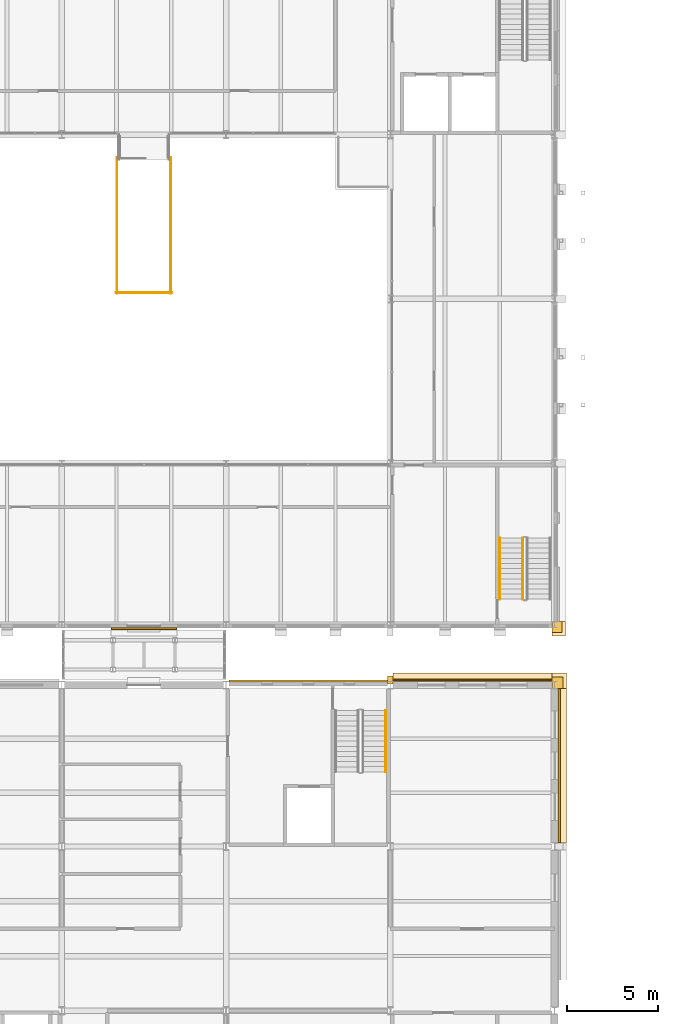
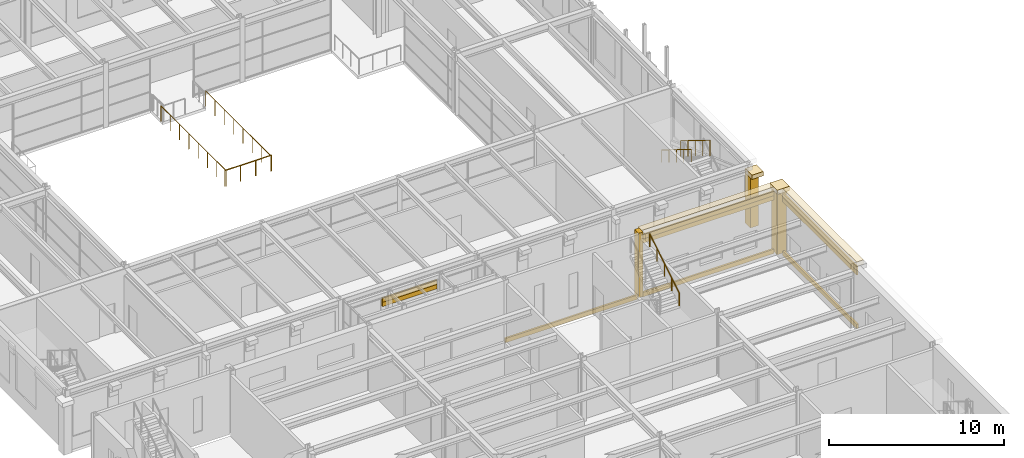
# One storey, part 136 of 153: 16 coverings, 6 railings.
"""IFC4 building model written with IfcOpenShell, lengths in metres."""

from ifc_helpers import new_model, si_unit, direction, frame, origin, origin_2d, place, context, subcontext, project, spatial, rectangle, circle, extrude, material, layer, layer_set, type_object, element, save


model = new_model("IFC4")

# Units and contexts
model_context = context("Model", 3, precision=1e-05, world=origin(), true_north=direction((0.0, 1.0)))
body_context = subcontext(model_context, "Body", "Model", "MODEL_VIEW")
ifc_project = project(units=[si_unit("LENGTHUNIT", "METRE"), si_unit("AREAUNIT", "SQUARE_METRE"), si_unit("VOLUMEUNIT", "CUBIC_METRE"), si_unit("PLANEANGLEUNIT", "RADIAN"), si_unit("MASSUNIT", "GRAM", prefix="KILO")], contexts=[model_context])

# Site, building, storey
site_placement = place(None, origin())
site = spatial("IfcSite", under=ifc_project, at=site_placement, CompositionType="ELEMENT")
building_placement = place(site_placement, origin())
building = spatial("IfcBuilding", under=site, at=building_placement, Name="Kallimachos Central Library", CompositionType="ELEMENT")
storey_placement = place(building_placement, frame((0.0, 0.0, 5.39990234375)))
storey = spatial("IfcBuildingStorey", under=building, at=storey_placement, Name="L01", CompositionType="ELEMENT", Elevation=5.39990234375)

# Coverings
ifc_material_1 = material(Name="Glazed ceramic frieze, green")
ifc_layer_1 = layer(ifc_material_1, 0.10009765625)
ifc_layer_set_1 = layer_set([ifc_layer_1], Name="Glazed ceramic frieze, green")
covering_type_1 = type_object("IfcCoveringType", Name="Glazed ceramic frieze, green", PredefinedType="CLADDING", material=ifc_layer_set_1)
covering_1_placement = place(storey_placement, frame((88.0, 47.929931640625, 3.18017578125), z_axis=(0.0, 0.0, 1.0), x_axis=(1.0, 0.0, 0.0)))
element("IfcCovering", 1, at=covering_1_placement, inside=storey, type_object=covering_type_1, Name="Glazed ceramic frieze, green -L01-017", PredefinedType="CLADDING", context=body_context, shape_type="SweptSolid", body=[
    extrude(rectangle(XDim=3.60009765625, YDim=0.10009765625, at=origin_2d()), origin(), (0.0, 0.0, 1.0), 0.300048828125),
])
covering_2_placement = place(storey_placement, frame((106.0, 45.10009765625, 3.8798828125), z_axis=(0.0, 0.0, 1.0), x_axis=(1.0, 0.0, 0.0)))
element("IfcCovering", 2, at=covering_2_placement, inside=storey, type_object=covering_type_1, Name="Glazed ceramic frieze, green -L01-019", PredefinedType="CLADDING", context=body_context, shape_type="SweptSolid", body=[
    extrude(rectangle(XDim=8.699951171875, YDim=0.10009765625, at=origin_2d()), origin(), (0.0, 0.0, 1.0), 0.300048828125),
])
covering_3_placement = place(storey_placement, frame((110.75, 40.425048828125, 3.8798828125), z_axis=(0.0, 0.0, 1.0), x_axis=(1.0, 0.0, 0.0)))
element("IfcCovering", 3, at=covering_3_placement, inside=storey, type_object=covering_type_1, Name="Glazed ceramic frieze, green -L01-025", PredefinedType="CLADDING", context=body_context, shape_type="SweptSolid", body=[
    extrude(rectangle(XDim=0.10009765625, YDim=8.449951171875, at=origin_2d()), origin(), (0.0, 0.0, 1.0), 0.300048828125),
])
ifc_material_2 = material(Name="Glazed ceramic frieze, ochre")
ifc_layer_2 = layer(ifc_material_2, 0.10009765625)
ifc_layer_set_2 = layer_set([ifc_layer_2], Name="Glazed ceramic frieze, ochre")
covering_type_2 = type_object("IfcCoveringType", Name="Glazed ceramic frieze, ochre", PredefinedType="CLADDING", material=ifc_layer_set_2)
covering_4_placement = place(storey_placement, frame((88.0, 47.929931640625, 2.8798828125), z_axis=(0.0, 0.0, 1.0), x_axis=(1.0, 0.0, 0.0)))
element("IfcCovering", 4, at=covering_4_placement, inside=storey, type_object=covering_type_2, Name="Glazed ceramic frieze, ochre -L01-017", PredefinedType="CLADDING", context=body_context, shape_type="SweptSolid", body=[
    extrude(rectangle(XDim=3.60009765625, YDim=0.10009765625, at=origin_2d()), origin(), (0.0, 0.0, 1.0), 0.300048828125),
])
covering_5_placement = place(storey_placement, frame((106.0, 45.10009765625, 3.580078125), z_axis=(0.0, 0.0, 1.0), x_axis=(1.0, 0.0, 0.0)))
element("IfcCovering", 5, at=covering_5_placement, inside=storey, type_object=covering_type_2, Name="Glazed ceramic frieze, ochre -L01-019", PredefinedType="CLADDING", context=body_context, shape_type="SweptSolid", body=[
    extrude(rectangle(XDim=8.699951171875, YDim=0.10009765625, at=origin_2d()), origin(), (0.0, 0.0, 1.0), 0.300048828125),
])
covering_6_placement = place(storey_placement, frame((110.75, 40.425048828125, 3.580078125), z_axis=(0.0, 0.0, 1.0), x_axis=(1.0, 0.0, 0.0)))
element("IfcCovering", 6, at=covering_6_placement, inside=storey, type_object=covering_type_2, Name="Glazed ceramic frieze, ochre -L01-025", PredefinedType="CLADDING", context=body_context, shape_type="SweptSolid", body=[
    extrude(rectangle(XDim=0.10009765625, YDim=8.449951171875, at=origin_2d()), origin(), (0.0, 0.0, 1.0), 0.300048828125),
])

# Railings
ifc_material_3 = material(Name="Wrought iron")
railing_type_1 = type_object("IfcRailingType", Name="Stair guard", PredefinedType="GUARDRAIL", material=ifc_material_3)
railing_1_placement = place(storey_placement, frame((108.75, 52.909912109375, 2.423095703125)))
element("IfcRailing", 7, at=railing_1_placement, inside=storey, type_object=railing_type_1, Name="L01 ST12 stair guard 3", PredefinedType="GUARDRAIL", context=body_context, shape_type="SweptSolid", body=[
    extrude(circle(Radius=0.02392578125, at=origin_2d()), frame((0.0, 0.0, 1.076171875), z_axis=(0.0, -0.850606129759, 0.525803396734), x_axis=(1.0, 0.0, 0.0)), (0.0, 0.0, 1.0), 3.949951171875),
    extrude(circle(Radius=0.02099609375, at=origin_2d()), origin(), (0.0, 0.0, 1.0), 1.052001953125),
    extrude(circle(Radius=0.02099609375, at=origin_2d()), frame((0.0, -0.83984375, 0.519287109375)), (0.0, 0.0, 1.0), 1.052001953125),
    extrude(circle(Radius=0.02099609375, at=origin_2d()), frame((0.0, -1.679931640625, 1.03857421875)), (0.0, 0.0, 1.0), 1.052001953125),
    extrude(circle(Radius=0.02099609375, at=origin_2d()), frame((0.0, -2.52001953125, 1.5576171875)), (0.0, 0.0, 1.0), 1.052001953125),
    extrude(circle(Radius=0.02099609375, at=origin_2d()), frame((0.0, -3.35986328125, 2.076904296875)), (0.0, 0.0, 1.0), 1.052001953125),
])
for number, where, name in (
    (8, (86.52490234375, 73.75, 0.0), "L01 SF1 top well guard 2"),
    (9, (89.47509765625, 73.75, 0.0), "L01 SF1 top well guard 3"),
):
    element("IfcRailing", number, at=place(storey_placement, frame(where)), inside=storey, type_object=railing_type_1, Name=name, PredefinedType="GUARDRAIL", context=body_context, shape_type="SweptSolid", body=[
        extrude(circle(Radius=0.02392578125, at=origin_2d()), frame((0.0, 0.0, 1.076171875), z_axis=(0.0, -1.0, 0.0), x_axis=(1.0, 0.0, 0.0)), (0.0, 0.0, 1.0), 7.449951171875),
        extrude(circle(Radius=0.02099609375, at=origin_2d()), origin(), (0.0, 0.0, 1.0), 1.052001953125),
        extrude(circle(Radius=0.02099609375, at=origin_2d()), frame((0.0, -1.064208984375, 0.0)), (0.0, 0.0, 1.0), 1.052001953125),
        extrude(circle(Radius=0.02099609375, at=origin_2d()), frame((0.0, -2.128662109375, 0.0)), (0.0, 0.0, 1.0), 1.052001953125),
        extrude(circle(Radius=0.02099609375, at=origin_2d()), frame((0.0, -3.19287109375, 0.0)), (0.0, 0.0, 1.0), 1.052001953125),
        extrude(circle(Radius=0.02099609375, at=origin_2d()), frame((0.0, -4.257080078125, 0.0)), (0.0, 0.0, 1.0), 1.052001953125),
        extrude(circle(Radius=0.02099609375, at=origin_2d()), frame((0.0, -5.3212890625, 0.0)), (0.0, 0.0, 1.0), 1.052001953125),
        extrude(circle(Radius=0.02099609375, at=origin_2d()), frame((0.0, -6.3857421875, 0.0)), (0.0, 0.0, 1.0), 1.052001953125),
        extrude(circle(Radius=0.02099609375, at=origin_2d()), frame((0.0, -7.449951171875, 0.0)), (0.0, 0.0, 1.0), 1.052001953125),
    ])
railing_2_placement = place(storey_placement, frame((86.47509765625, 66.35009765625, 0.0)))
element("IfcRailing", 10, at=railing_2_placement, inside=storey, type_object=railing_type_1, Name="L01 SF1 top well guard 4", PredefinedType="GUARDRAIL", context=body_context, shape_type="SweptSolid", body=[
    extrude(circle(Radius=0.02392578125, at=origin_2d()), frame((0.0, 0.0, 1.076171875), z_axis=(1.0, 0.0, 0.0), x_axis=(0.0, 1.0, 0.0)), (0.0, 0.0, 1.0), 3.0498046875),
    extrude(circle(Radius=0.02099609375, at=origin_2d()), origin(), (0.0, 0.0, 1.0), 1.052001953125),
    extrude(circle(Radius=0.02099609375, at=origin_2d()), frame((1.0166015625, 0.0, 0.0)), (0.0, 0.0, 1.0), 1.052001953125),
    extrude(circle(Radius=0.02099609375, at=origin_2d()), frame((2.033203125, 0.0, 0.0)), (0.0, 0.0, 1.0), 1.052001953125),
    extrude(circle(Radius=0.02099609375, at=origin_2d()), frame((3.0498046875, 0.0, 0.0)), (0.0, 0.0, 1.0), 1.052001953125),
])
ifc_material_4 = material(Name="Wrought iron")
railing_type_2 = type_object("IfcRailingType", Name="Stair handrail", PredefinedType="HANDRAIL", material=ifc_material_4)
railing_3_placement = place(storey_placement, frame((107.5, 52.909912109375, 2.423095703125)))
element("IfcRailing", 11, at=railing_3_placement, inside=storey, type_object=railing_type_2, Name="L01 ST12 stair handrail 2", PredefinedType="HANDRAIL", context=body_context, shape_type="SweptSolid", body=[
    extrude(circle(Radius=0.02392578125, at=origin_2d()), frame((0.0, 0.0, 0.8759765625), z_axis=(0.0, -0.850606129759, 0.525803396734), x_axis=(1.0, 0.0, 0.0)), (0.0, 0.0, 1.0), 3.949951171875),
    extrude(circle(Radius=0.02099609375, at=origin_2d()), origin(), (0.0, 0.0, 1.0), 0.851806640625),
    extrude(circle(Radius=0.02099609375, at=origin_2d()), frame((0.0, -0.83984375, 0.519287109375)), (0.0, 0.0, 1.0), 0.851806640625),
    extrude(circle(Radius=0.02099609375, at=origin_2d()), frame((0.0, -1.679931640625, 1.03857421875)), (0.0, 0.0, 1.0), 0.851806640625),
    extrude(circle(Radius=0.02099609375, at=origin_2d()), frame((0.0, -2.52001953125, 1.5576171875)), (0.0, 0.0, 1.0), 0.851806640625),
    extrude(circle(Radius=0.02099609375, at=origin_2d()), frame((0.0, -3.35986328125, 2.076904296875)), (0.0, 0.0, 1.0), 0.851806640625),
])
ifc_material_5 = material(Name="Steel S355J2", Category="steel")
railing_type_3 = type_object("IfcRailingType", Name="Stair handrail 900", PredefinedType="HANDRAIL", material=ifc_material_5)
railing_4_placement = place(storey_placement, frame((101.25, 40.090087890625, 2.423095703125)))
element("IfcRailing", 12, at=railing_4_placement, inside=storey, type_object=railing_type_3, Name="L01 ST14 stair handrail 2", PredefinedType="HANDRAIL", context=body_context, shape_type="SweptSolid", body=[
    extrude(circle(Radius=0.02392578125, at=origin_2d()), frame((0.0, 0.0, 0.8759765625), z_axis=(0.0, 0.850606129759, 0.525803396734), x_axis=(-1.0, 0.0, 0.0)), (0.0, 0.0, 1.0), 3.949951171875),
    extrude(circle(Radius=0.02099609375, at=origin_2d()), origin(), (0.0, 0.0, 1.0), 0.851806640625),
    extrude(circle(Radius=0.02099609375, at=origin_2d()), frame((0.0, 0.83984375, 0.519287109375)), (0.0, 0.0, 1.0), 0.851806640625),
    extrude(circle(Radius=0.02099609375, at=origin_2d()), frame((0.0, 1.679931640625, 1.03857421875)), (0.0, 0.0, 1.0), 0.851806640625),
    extrude(circle(Radius=0.02099609375, at=origin_2d()), frame((0.0, 2.52001953125, 1.5576171875)), (0.0, 0.0, 1.0), 0.851806640625),
    extrude(circle(Radius=0.02099609375, at=origin_2d()), frame((0.0, 3.35986328125, 2.076904296875)), (0.0, 0.0, 1.0), 0.851806640625),
])

# Coverings
ifc_material_6 = material(Name="Pentelic marble attic moulding", Category="masonry")
ifc_layer_3 = layer(ifc_material_6, 0.1201171875)
ifc_layer_set_3 = layer_set([ifc_layer_3], Name="Stone attic moulding 300")
covering_type_3 = type_object("IfcCoveringType", Name="Stone attic moulding 300", PredefinedType="MOLDING", material=ifc_layer_set_3)
covering_7_placement = place(storey_placement, frame((106.0, 45.110107421875, -0.14990234375), z_axis=(0.0, 0.0, 1.0), x_axis=(1.0, 0.0, 0.0)))
element("IfcCovering", 13, at=covering_7_placement, inside=storey, type_object=covering_type_3, Name="Stone attic moulding 300 -L01-019", PredefinedType="MOLDING", context=body_context, shape_type="SweptSolid", body=[
    extrude(rectangle(XDim=8.699951171875, YDim=0.1201171875, at=origin_2d()), origin(), (0.0, 0.0, 1.0), 0.300048828125),
])
covering_8_placement = place(storey_placement, frame((110.760009765625, 40.425048828125, -0.14990234375), z_axis=(0.0, 0.0, 1.0), x_axis=(1.0, 0.0, 0.0)))
element("IfcCovering", 14, at=covering_8_placement, inside=storey, type_object=covering_type_3, Name="Stone attic moulding 300 -L01-025", PredefinedType="MOLDING", context=body_context, shape_type="SweptSolid", body=[
    extrude(rectangle(XDim=0.1201171875, YDim=8.449951171875, at=origin_2d()), origin(), (0.0, 0.0, 1.0), 0.300048828125),
])
ifc_material_7 = material(Name="Pentelic marble cornice", Category="masonry")
ifc_layer_4 = layer(ifc_material_7, 0.449951171875)
ifc_layer_set_4 = layer_set([ifc_layer_4], Name="Stone cornice 450")
covering_type_4 = type_object("IfcCoveringType", Name="Stone cornice 450", PredefinedType="MOLDING", material=ifc_layer_set_4)
covering_9_placement = place(storey_placement, frame((106.0, 45.27490234375, 4.2001953125), z_axis=(0.0, 0.0, 1.0), x_axis=(1.0, 0.0, 0.0)))
element("IfcCovering", 15, at=covering_9_placement, inside=storey, type_object=covering_type_4, Name="Stone cornice 450 -L01-019", PredefinedType="MOLDING", context=body_context, shape_type="SweptSolid", body=[
    extrude(rectangle(XDim=8.699951171875, YDim=0.449951171875, at=origin_2d()), origin(), (0.0, 0.0, 1.0), 0.300048828125),
])
covering_10_placement = place(storey_placement, frame((110.925048828125, 40.425048828125, 4.2001953125), z_axis=(0.0, 0.0, 1.0), x_axis=(1.0, 0.0, 0.0)))
element("IfcCovering", 16, at=covering_10_placement, inside=storey, type_object=covering_type_4, Name="Stone cornice 450 -L01-025", PredefinedType="MOLDING", context=body_context, shape_type="SweptSolid", body=[
    extrude(rectangle(XDim=0.449951171875, YDim=8.449951171875, at=origin_2d()), origin(), (0.0, 0.0, 1.0), 0.300048828125),
])
covering_11_placement = place(storey_placement, frame((110.75, 45.074951171875, 4.2001953125), z_axis=(0.0, 0.0, 1.0), x_axis=(1.0, 0.0, 0.0)))
element("IfcCovering", 17, at=covering_11_placement, inside=storey, type_object=covering_type_4, Name="Stone cornice 450 corner", PredefinedType="MOLDING", context=body_context, shape_type="SweptSolid", body=[
    extrude(rectangle(XDim=0.800048828125, YDim=0.85009765625, at=origin_2d()), origin(), (0.0, 0.0, 1.0), 0.300048828125),
])
covering_12_placement = place(storey_placement, frame((110.72509765625, 47.925048828125, 3.5), z_axis=(0.0, 0.0, 1.0), x_axis=(1.0, 0.0, 0.0)))
element("IfcCovering", 18, at=covering_12_placement, inside=storey, type_object=covering_type_4, Name="Stone cornice 450 corner", PredefinedType="MOLDING", context=body_context, shape_type="SweptSolid", body=[
    extrude(rectangle(XDim=0.75, YDim=0.7900390625, at=origin_2d()), origin(), (0.0, 0.0, 1.0), 0.300048828125),
])
ifc_material_8 = material(Name="Pentelic marble pilaster", Category="masonry")
ifc_layer_5 = layer(ifc_material_8, 0.25)
ifc_layer_set_5 = layer_set([ifc_layer_5], Name="Stone pilaster 250")
covering_type_5 = type_object("IfcCoveringType", Name="Stone pilaster 250", PredefinedType="CLADDING", material=ifc_layer_set_5)
covering_13_placement = place(storey_placement, frame((101.5, 45.125, 0.0), z_axis=(0.0, 0.0, 1.0), x_axis=(1.0, 0.0, 0.0)))
element("IfcCovering", 19, at=covering_13_placement, inside=storey, type_object=covering_type_5, Name="Stone pilaster 250 -L01-018", PredefinedType="CLADDING", context=body_context, shape_type="SweptSolid", body=[
    extrude(rectangle(XDim=0.300048828125, YDim=0.449951171875, at=origin_2d()), origin(), (0.0, 0.0, 1.0), 4.5),
])
covering_14_placement = place(storey_placement, frame((110.64990234375, 44.97509765625, 0.0), z_axis=(0.0, 0.0, 1.0), x_axis=(1.0, 0.0, 0.0)))
element("IfcCovering", 20, at=covering_14_placement, inside=storey, type_object=covering_type_5, Name="Stone pilaster 250 corner", PredefinedType="CLADDING", context=body_context, shape_type="SweptSolid", body=[
    extrude(rectangle(XDim=0.60009765625, YDim=0.64990234375, at=origin_2d()), origin(), (0.0, 0.0, 1.0), 4.199951171875),
])
covering_15_placement = place(storey_placement, frame((110.625, 48.02490234375, 0.0), z_axis=(0.0, 0.0, 1.0), x_axis=(1.0, 0.0, 0.0)))
element("IfcCovering", 21, at=covering_15_placement, inside=storey, type_object=covering_type_5, Name="Stone pilaster 250 corner", PredefinedType="CLADDING", context=body_context, shape_type="SweptSolid", body=[
    extrude(rectangle(XDim=0.550048828125, YDim=0.590087890625, at=origin_2d()), origin(), (0.0, 0.0, 1.0), 3.5),
])
ifc_material_9 = material(Name="Pentelic marble string course", Category="masonry")
ifc_layer_6 = layer(ifc_material_9, 0.1201171875)
ifc_layer_set_6 = layer_set([ifc_layer_6], Name="Stone string course 300")
covering_type_6 = type_object("IfcCoveringType", Name="Stone string course 300", PredefinedType="MOLDING", material=ifc_layer_set_6)
covering_16_placement = place(storey_placement, frame((97.0, 45.06005859375, -0.14990234375), z_axis=(0.0, 0.0, 1.0), x_axis=(1.0, 0.0, 0.0)))
element("IfcCovering", 22, at=covering_16_placement, inside=storey, type_object=covering_type_6, Name="Stone string course 300 -L01-018", PredefinedType="MOLDING", context=body_context, shape_type="SweptSolid", body=[
    extrude(rectangle(XDim=8.699951171875, YDim=0.1201171875, at=origin_2d()), origin(), (0.0, 0.0, 1.0), 0.300048828125),
])

save(model, "model.ifc")
